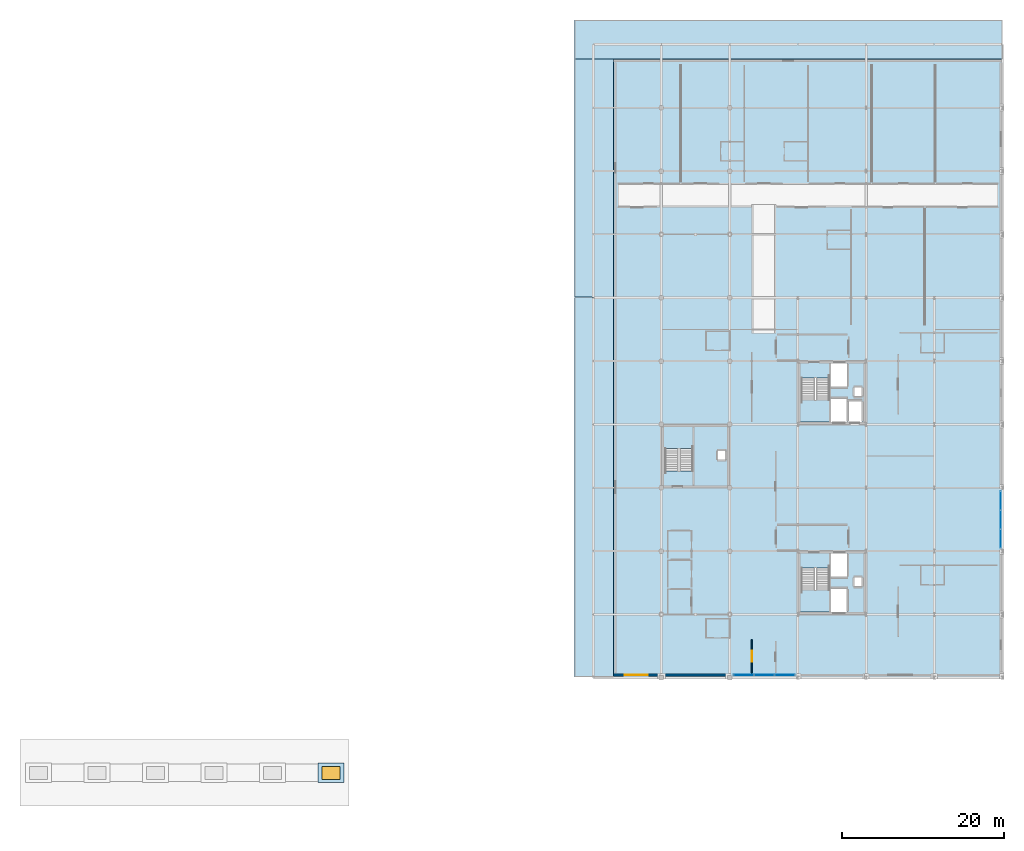
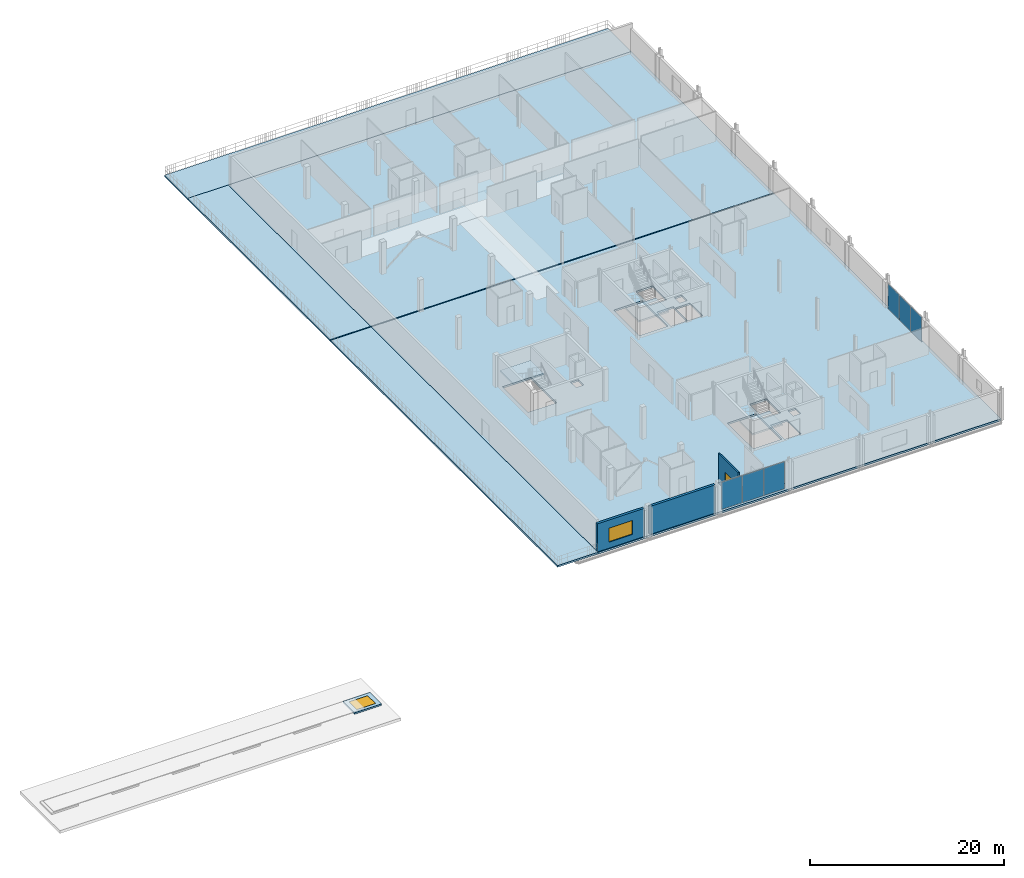
# One storey, part 9 of 20: 9 slabs, 6 plates, 3 walls, 2 windows, 1 door, 3 openings, 5 elements without a shape of their own.
"""IFC4 building model written with IfcOpenShell, lengths in metres."""

import ifcopenshell
import ifcopenshell.guid

model = None  # the IFC model being written
_history = None  # IfcOwnerHistory: only IFC2X3 demands one
_inside = {}  # id of a spatial element -> (the spatial element, [elements in it])
_under = {}  # id of a project, library or spatial element -> (it, [spatial elements below it])
_declared = {}  # id of a project -> (the project, [libraries it declares])
_typed = {}  # id of a type object -> (the type object, [elements of that type])
_made_of = {}  # id of a material, layer set ... -> (it, [elements and type objects made of it])


def new_model(schema):
    """Start an empty IFC model of exactly this schema.

    Asked for "IFC4X3", IfcOpenShell would pick the latest addendum, in which some entities
    have other attributes; the version numbers below select the first issue.
    IFC2X3 requires an IfcOwnerHistory on every rooted entity: one is made here for all.
    """
    global model, _history
    if schema == "IFC4X3":
        model = ifcopenshell.file(schema_version=(4, 3, 0, 0))
    else:
        model = ifcopenshell.file(schema=schema)
    _inside.clear()
    _under.clear()
    _declared.clear()
    _typed.clear()
    _made_of.clear()
    _history = None
    if model.schema == "IFC2X3":
        org = make("IfcOrganization", Name="unknown")
        user = make(
            "IfcPersonAndOrganization",
            ThePerson=make("IfcPerson", FamilyName="unknown"),
            TheOrganization=org,
        )
        app = make(
            "IfcApplication",
            ApplicationDeveloper=org,
            Version="unknown",
            ApplicationFullName="unknown",
            ApplicationIdentifier="unknown",
        )
        _history = make(
            "IfcOwnerHistory",
            OwningUser=user,
            OwningApplication=app,
            ChangeAction="ADDED",
            CreationDate=0,
        )
    return model


def make(cls, **values):
    """One entity of the class cls with the attributes given. An attribute that is None is left unset."""
    return model.create_entity(
        cls, **{name: value for name, value in values.items() if value is not None}
    )


def rooted(cls, **values):
    """An entity with a GlobalId (a new one), such as an element, a storey or a relation."""
    return make(cls, GlobalId=ifcopenshell.guid.new(), OwnerHistory=_history, **values)


def si_unit(unit_type, name, prefix=None):
    """IfcSIUnit, for example si_unit("LENGTHUNIT", "METRE", prefix="MILLI")."""
    return make("IfcSIUnit", UnitType=unit_type, Prefix=prefix, Name=name)


def assignment(units):
    """IfcUnitAssignment: the units of a project."""
    return None if units is None else make("IfcUnitAssignment", Units=units)


def point(xyz):
    """IfcCartesianPoint."""
    return None if xyz is None else make("IfcCartesianPoint", Coordinates=xyz)


def direction(xyz):
    """IfcDirection."""
    return None if xyz is None else make("IfcDirection", DirectionRatios=xyz)


def frame(location, z_axis=None, x_axis=None):
    """IfcAxis2Placement3D, a coordinate frame: its origin and axes. An axis left out is left unset."""
    return make(
        "IfcAxis2Placement3D",
        Location=point(location),
        Axis=direction(z_axis),
        RefDirection=direction(x_axis),
    )


def frame_2d(location, x_axis=None):
    """IfcAxis2Placement2D, a coordinate frame in the plane: its origin and x axis."""
    return make(
        "IfcAxis2Placement2D", Location=point(location), RefDirection=direction(x_axis)
    )


def origin():
    """The frame at (0, 0, 0) with its axes left unset."""
    return frame((0.0, 0.0, 0.0))


def origin_2d():
    """The frame at (0, 0) in the plane with its x axis left unset."""
    return frame_2d((0.0, 0.0))


def place(relative_to, where):
    """IfcLocalPlacement: puts the frame where relative to a parent placement (None: the world)."""
    return make(
        "IfcLocalPlacement", PlacementRelTo=relative_to, RelativePlacement=where
    )


def context(
    kind, dimensions, precision=None, world=None, true_north=None, identifier=None
):
    """IfcGeometricRepresentationContext, for example the 3D "Model" context."""
    return make(
        "IfcGeometricRepresentationContext",
        ContextIdentifier=identifier,
        ContextType=kind,
        CoordinateSpaceDimension=dimensions,
        Precision=precision,
        WorldCoordinateSystem=world,
        TrueNorth=true_north,
    )


def subcontext(parent, identifier, kind, view, scale=None):
    """IfcGeometricRepresentationSubContext, for example "Body" below "Model"."""
    return make(
        "IfcGeometricRepresentationSubContext",
        ContextIdentifier=identifier,
        ContextType=kind,
        ParentContext=parent,
        TargetScale=scale,
        TargetView=view,
    )


def project(units=None, contexts=None):
    """IfcProject with its units and contexts."""
    return rooted(
        "IfcProject",
        Name="project",
        RepresentationContexts=contexts,
        UnitsInContext=assignment(units),
    )


def spatial(cls, under=None, at=None, **own):
    """A site, building, storey or space (cls), placed at a placement, below another one or the project."""
    s = rooted(cls, ObjectPlacement=at, **own)
    if under is not None:
        _under.setdefault(under.id(), (under, []))[1].append(s)
    return s


def polyline(points):
    """IfcPolyline through the points."""
    return make("IfcPolyline", Points=[point(p) for p in points])


def profile(cls, at=None, kind="AREA", **sizes):
    """A parametric profile (cls). Its sizes go by their IFC names, for example OverallWidth=200.0."""
    return make(cls, ProfileType=kind, Position=at, **sizes)


def rectangle(**sizes):
    """IfcRectangleProfileDef."""
    return profile("IfcRectangleProfileDef", **sizes)


def outline(outer, holes=None, kind="AREA"):
    """IfcArbitraryClosedProfileDef: a profile drawn as a closed curve; with holes, ...WithVoids."""
    if holes is None:
        return make("IfcArbitraryClosedProfileDef", ProfileType=kind, OuterCurve=outer)
    return make(
        "IfcArbitraryProfileDefWithVoids",
        ProfileType=kind,
        OuterCurve=outer,
        InnerCurves=holes,
    )


def extrude(swept, where, along, depth):
    """IfcExtrudedAreaSolid: the profile swept, set in the frame where, extruded along a direction by depth."""
    return make(
        "IfcExtrudedAreaSolid",
        SweptArea=swept,
        Position=where,
        ExtrudedDirection=direction(along),
        Depth=depth,
    )


def shape(context_of_items, identifier, shape_type, items):
    """IfcShapeRepresentation: the items that make up one representation, for example the "Body"."""
    return make(
        "IfcShapeRepresentation",
        ContextOfItems=context_of_items,
        RepresentationIdentifier=identifier,
        RepresentationType=shape_type,
        Items=items,
    )


def material(Name=None, Category=None):
    """IfcMaterial."""
    return make("IfcMaterial", Name=Name, Category=Category)


def layer(
    of_material, thickness, ventilated=None, Name=None, Category=None, Priority=None
):
    """IfcMaterialLayer: one layer of a wall or slab, of a material (None: an air gap)."""
    return make(
        "IfcMaterialLayer",
        Material=of_material,
        LayerThickness=thickness,
        IsVentilated=ventilated,
        Name=Name,
        Category=Category,
        Priority=Priority,
    )


def layer_set(layers, Name=None):
    """IfcMaterialLayerSet."""
    return make("IfcMaterialLayerSet", MaterialLayers=layers, LayerSetName=Name)


def made_of(thing, what):
    """Note that an element or type object is made of a material, layer set ...; save() writes the relation."""
    if what is not None:
        _made_of.setdefault(what.id(), (what, []))[1].append(thing)
    return thing


def type_object(cls, material=None, **own):
    """A type object (cls), such as IfcWallType, which elements share."""
    return made_of(rooted(cls, **own), material)


def element(
    cls,
    number,
    at=None,
    inside=None,
    cuts=None,
    type_object=None,
    material=None,
    context=None,
    identifier="Body",
    shape_type=None,
    held_by="IfcProductDefinitionShape",
    body=None,
    shapes=None,
    **own,
):
    """One element of the class cls, such as IfcWall. Its Tag is "e" and its number.

    at: its placement. inside: the storey or other place that contains it. cuts: it is an
    opening in that element (IfcRelVoidsElement). A single representation is given by context,
    identifier, shape_type and body (its items); several are given by shapes. held_by: the class
    of the entity that holds the representations. save() writes the other relations.
    """
    e = rooted(cls, Tag="e%d" % number, ObjectPlacement=at, **own)
    if body is not None:
        shapes = [shape(context, identifier, shape_type, body)]
    if shapes is not None:
        e.Representation = make(held_by, Representations=shapes)
    if inside is not None:
        _inside.setdefault(inside.id(), (inside, []))[1].append(e)
    if cuts is not None:
        rooted(
            "IfcRelVoidsElement", RelatingBuildingElement=cuts, RelatedOpeningElement=e
        )
    if type_object is not None:
        _typed.setdefault(type_object.id(), (type_object, []))[1].append(e)
    return made_of(e, material)


def fill(opening, filler):
    """IfcRelFillsElement: the door or window that sits in an opening."""
    return rooted(
        "IfcRelFillsElement",
        RelatingOpeningElement=opening,
        RelatedBuildingElement=filler,
    )


def aggregate(whole, parts):
    """IfcRelAggregates: a whole, such as a stair, and the parts it consists of."""
    return rooted("IfcRelAggregates", RelatingObject=whole, RelatedObjects=parts)


def save(model, path):
    """Write the relations noted so far, then the file.

    IfcRelAggregates (storeys below a building ...), IfcRelContainedInSpatialStructure (elements
    in a storey), IfcRelDefinesByType, IfcRelAssociatesMaterial and IfcRelDeclares: one each for
    every whole, place, type object, material and project.
    """
    for whole, parts in _under.values():
        aggregate(whole, parts)
    for where, things in _inside.values():
        rooted(
            "IfcRelContainedInSpatialStructure",
            RelatedElements=things,
            RelatingStructure=where,
        )
    for kind, things in _typed.values():
        rooted("IfcRelDefinesByType", RelatedObjects=things, RelatingType=kind)
    for what, things in _made_of.values():
        rooted("IfcRelAssociatesMaterial", RelatedObjects=things, RelatingMaterial=what)
    for by, libraries in _declared.values():
        rooted("IfcRelDeclares", RelatingContext=by, RelatedDefinitions=libraries)
    model.write(path)


model = new_model("IFC4")

# Units and contexts
model_context = context("Model", 3, precision=1e-05, world=origin(), true_north=direction((0.0, 1.0)))
body_context = subcontext(model_context, "Body", "Model", "MODEL_VIEW")
ifc_project = project(units=[si_unit("LENGTHUNIT", "METRE"), si_unit("AREAUNIT", "SQUARE_METRE"), si_unit("VOLUMEUNIT", "CUBIC_METRE"), si_unit("PLANEANGLEUNIT", "RADIAN"), si_unit("MASSUNIT", "GRAM", prefix="KILO")], contexts=[model_context])

# Site, building, storey
site_placement = place(None, origin())
site = spatial("IfcSite", under=ifc_project, at=site_placement, CompositionType="ELEMENT")
building_placement = place(site_placement, origin())
building = spatial("IfcBuilding", under=site, at=building_placement, Name="Nabrawat Pavilion Hospital", CompositionType="ELEMENT")
storey_placement = place(building_placement, frame((0.0, 0.0, 27.0)))
storey = spatial("IfcBuildingStorey", under=building, at=storey_placement, Name="L06", CompositionType="ELEMENT", Elevation=27.0)

# Slabs
ifc_material_1 = material(Name="Concrete C35/45", Category="concrete")
ifc_layer_1 = layer(ifc_material_1, 0.22998046875, Name="Concrete C35/45")
ifc_layer_set_1 = layer_set([ifc_layer_1], Name="Concrete C35/45")
slab_type_1 = type_object("IfcSlabType", Name="Composite Upper Ward Floor Slab 230", PredefinedType="FLOOR", material=ifc_layer_set_1)
slab_1_placement = place(storey_placement, frame((0.0, 0.0, -0.22998046875)))
element("IfcSlab", 1, at=slab_1_placement, inside=storey, type_object=slab_type_1, Name="L06 Structural Floor Slab P_L06_V6_S", PredefinedType="FLOOR", context=body_context, shape_type="SweptSolid", body=[
    extrude(outline(polyline([(145.320068359375, 39.1201171875), (193.199951171875, 39.1201171875), (193.199951171875, 85.800048828125), (145.320068359375, 85.800048828125), (145.320068359375, 39.1201171875)]), holes=[polyline([(175.8798828125, 73.10009765625), (175.8798828125, 70.5), (174.1201171875, 70.5), (174.1201171875, 73.10009765625), (175.8798828125, 73.10009765625)]), polyline([(174.949951171875, 50.25), (174.949951171875, 51.35009765625), (175.85009765625, 51.35009765625), (175.85009765625, 50.25), (174.949951171875, 50.25)]), polyline([(174.949951171875, 73.64990234375), (174.949951171875, 74.75), (175.85009765625, 74.75), (175.85009765625, 73.64990234375), (174.949951171875, 73.64990234375)]), polyline([(172.10009765625, 51.39990234375), (172.10009765625, 54.300048828125), (174.10009765625, 54.300048828125), (174.10009765625, 51.39990234375), (172.10009765625, 51.39990234375)]), polyline([(172.10009765625, 74.800048828125), (172.10009765625, 77.699951171875), (174.10009765625, 77.699951171875), (174.10009765625, 74.800048828125), (172.10009765625, 74.800048828125)]), polyline([(174.06005859375, 50.0), (174.06005859375, 47.10009765625), (172.10009765625, 47.10009765625), (172.10009765625, 50.0), (174.06005859375, 50.0)]), polyline([(172.10009765625, 70.5), (172.10009765625, 73.39990234375), (174.06005859375, 73.39990234375), (174.06005859375, 70.5), (172.10009765625, 70.5)]), polyline([(171.85009765625, 47.25), (168.449951171875, 47.25), (168.449951171875, 52.530029296875), (171.85009765625, 52.530029296875), (171.85009765625, 47.25)]), polyline([(171.85009765625, 70.64990234375), (168.449951171875, 70.64990234375), (168.449951171875, 75.929931640625), (171.85009765625, 75.929931640625), (171.85009765625, 70.64990234375)]), polyline([(159.050048828125, 66.949951171875), (159.050048828125, 65.85009765625), (158.14990234375, 65.85009765625), (158.14990234375, 66.949951171875), (159.050048828125, 66.949951171875)]), polyline([(155.050048828125, 64.469970703125), (151.64990234375, 64.469970703125), (151.64990234375, 69.75), (155.050048828125, 69.75), (155.050048828125, 64.469970703125)])]), origin(), (0.0, 0.0, 1.0), 0.22998046875),
])
slab_2_placement = place(storey_placement, frame((0.0, 0.0, -0.22998046875)))
element("IfcSlab", 2, at=slab_2_placement, inside=storey, type_object=slab_type_1, Name="L06 Structural Floor Slab P_L06_V6_N", PredefinedType="FLOOR", context=body_context, shape_type="SweptSolid", body=[
    extrude(outline(polyline([(193.199951171875, 85.919921875), (193.199951171875, 115.199951171875), (145.320068359375, 115.199951171875), (145.320068359375, 85.919921875), (193.199951171875, 85.919921875)])), origin(), (0.0, 0.0, 1.0), 0.22998046875),
])
ifc_layer_2 = layer(ifc_material_1, 0.2099609375, Name="Concrete C35/45")
ifc_layer_set_2 = layer_set([ifc_layer_2], Name="Concrete C35/45")
slab_type_2 = type_object("IfcSlabType", Name="Exterior Recovery Terrace Slab 210", PredefinedType="FLOOR", material=ifc_layer_set_2)
slab_3_placement = place(storey_placement, frame((0.0, 0.0, -0.2099609375)))
element("IfcSlab", 3, at=slab_3_placement, inside=storey, type_object=slab_type_2, Name="L06 Walkable Clinical Terrace Slab T_L06_WARD_WEST_S", PredefinedType="FLOOR", context=body_context, shape_type="SweptSolid", body=[
    extrude(outline(polyline([(145.320068359375, 39.1201171875), (145.320068359375, 85.800048828125), (140.52001953125, 85.800048828125), (140.52001953125, 39.1201171875), (145.320068359375, 39.1201171875)])), origin(), (0.0, 0.0, 1.0), 0.2099609375),
])
slab_4_placement = place(storey_placement, frame((0.0, 0.0, -0.2099609375)))
element("IfcSlab", 4, at=slab_4_placement, inside=storey, type_object=slab_type_2, Name="L06 Walkable Clinical Terrace Slab T_L06_WARD_WEST_N", PredefinedType="FLOOR", context=body_context, shape_type="SweptSolid", body=[
    extrude(outline(polyline([(145.320068359375, 85.919921875), (145.320068359375, 115.199951171875), (140.52001953125, 115.199951171875), (140.52001953125, 85.919921875), (145.320068359375, 85.919921875)])), origin(), (0.0, 0.0, 1.0), 0.2099609375),
])
slab_5_placement = place(storey_placement, frame((0.0, 0.0, -0.2099609375)))
element("IfcSlab", 5, at=slab_5_placement, inside=storey, type_object=slab_type_2, Name="L06 Walkable Clinical Terrace Slab T_L06_WARD_NORTH", PredefinedType="FLOOR", context=body_context, shape_type="SweptSolid", body=[
    extrude(outline(polyline([(193.199951171875, 115.199951171875), (193.199951171875, 120.0), (140.52001953125, 120.0), (140.52001953125, 115.199951171875), (193.199951171875, 115.199951171875)])), origin(), (0.0, 0.0, 1.0), 0.2099609375),
])

# Curtain wall, plates
ifc_material_2 = material(Name="Anodised Aluminium", Category="aluminium")
curtain_wall_type = type_object("IfcCurtainWallType", Name="Inpatient Dayroom Bay Curtain Wall", PredefinedType="USERDEFINED", material=ifc_material_2)
curtain_wall_1_placement = place(storey_placement, origin())
curtain_wall_1 = element("IfcCurtainWall", 6, at=curtain_wall_1_placement, inside=storey, type_object=curtain_wall_type, Name="L06 Inpatient Dayroom Bay Curtain Wall 153", ObjectType="CURTAIN WALL", PredefinedType="USERDEFINED")
ifc_material_3 = material(Name="Double-Glazed Low-E Glass", Category="glass")
ifc_layer_3 = layer(ifc_material_3, 0.02587890625, Name="Double-Glazed Low-E Glass")
ifc_layer_set_3 = layer_set([ifc_layer_3], Name="Double-Glazed Low-E Glass")
plate_type = type_object("IfcPlateType", Name="Inpatient Dayroom Bay Curtain Wall Low-E Solar Panel 26", PredefinedType="CURTAIN_PANEL", material=ifc_layer_set_3)
plate_1_placement = place(storey_placement, frame((161.33251953125, 39.340087890625, 0.06005859375), z_axis=(0.0, 0.0, 1.0), x_axis=(1.0, 0.0, 0.0)))
plate_1 = element("IfcPlate", 7, at=plate_1_placement, type_object=plate_type, Name="CW-WRD-01 panel 1.1", PredefinedType="CURTAIN_PANEL", context=body_context, shape_type="SweptSolid", body=[
    extrude(rectangle(XDim=2.455078125, YDim=0.02587890625, at=origin_2d()), origin(), (0.0, 0.0, 1.0), 3.409912109375),
])
plate_2_placement = place(storey_placement, frame((163.862548828125, 39.340087890625, 0.06005859375), z_axis=(0.0, 0.0, 1.0), x_axis=(1.0, 0.0, 0.0)))
plate_2 = element("IfcPlate", 8, at=plate_2_placement, type_object=plate_type, Name="CW-WRD-01 panel 2.1", PredefinedType="CURTAIN_PANEL", context=body_context, shape_type="SweptSolid", body=[
    extrude(rectangle(XDim=2.485107421875, YDim=0.02587890625, at=origin_2d()), origin(), (0.0, 0.0, 1.0), 3.409912109375),
])
plate_3_placement = place(storey_placement, frame((166.392578125, 39.340087890625, 0.06005859375), z_axis=(0.0, 0.0, 1.0), x_axis=(1.0, 0.0, 0.0)))
plate_3 = element("IfcPlate", 9, at=plate_3_placement, type_object=plate_type, Name="CW-WRD-01 panel 3.1", PredefinedType="CURTAIN_PANEL", context=body_context, shape_type="SweptSolid", body=[
    extrude(rectangle(XDim=2.455078125, YDim=0.02587890625, at=origin_2d()), origin(), (0.0, 0.0, 1.0), 3.409912109375),
])
aggregate(curtain_wall_1, [plate_1, plate_2, plate_3])

curtain_wall_2_placement = place(storey_placement, origin())
curtain_wall_2 = element("IfcCurtainWall", 10, at=curtain_wall_2_placement, inside=storey, type_object=curtain_wall_type, Name="L06 Inpatient Dayroom Bay Curtain Wall 154", ObjectType="CURTAIN WALL", PredefinedType="USERDEFINED")
plate_4_placement = place(storey_placement, frame((192.97998046875, 56.16162109375, 0.06005859375), z_axis=(0.0, 0.0, 1.0), x_axis=(0.0, 1.0, 0.0)))
plate_4 = element("IfcPlate", 11, at=plate_4_placement, type_object=plate_type, Name="CW-WRD-01 panel 1.1", PredefinedType="CURTAIN_PANEL", context=body_context, shape_type="SweptSolid", body=[
    extrude(rectangle(XDim=2.263427734375, YDim=0.02587890625, at=origin_2d()), origin(), (0.0, 0.0, 1.0), 3.139892578125),
])
plate_5_placement = place(storey_placement, frame((192.97998046875, 58.5, 0.06005859375), z_axis=(0.0, 0.0, 1.0), x_axis=(0.0, 1.0, 0.0)))
plate_5 = element("IfcPlate", 12, at=plate_5_placement, type_object=plate_type, Name="CW-WRD-01 panel 2.1", PredefinedType="CURTAIN_PANEL", context=body_context, shape_type="SweptSolid", body=[
    extrude(rectangle(XDim=2.293212890625, YDim=0.02587890625, at=origin_2d()), origin(), (0.0, 0.0, 1.0), 3.139892578125),
])
plate_6_placement = place(storey_placement, frame((192.97998046875, 60.83837890625, 0.06005859375), z_axis=(0.0, 0.0, 1.0), x_axis=(0.0, 1.0, 0.0)))
plate_6 = element("IfcPlate", 13, at=plate_6_placement, type_object=plate_type, Name="CW-WRD-01 panel 3.1", PredefinedType="CURTAIN_PANEL", context=body_context, shape_type="SweptSolid", body=[
    extrude(rectangle(XDim=2.263427734375, YDim=0.02587890625, at=origin_2d()), origin(), (0.0, 0.0, 1.0), 3.139892578125),
])
aggregate(curtain_wall_2, [plate_4, plate_5, plate_6])

# Stair, slab
stair_type = type_object("IfcStairType", Name="Ward Upper Dogleg Escape Stair Assembly", PredefinedType="HALF_TURN_STAIR", material=ifc_material_1)
stair_1_placement = place(storey_placement, origin())
stair_1 = element("IfcStair", 14, at=stair_1_placement, inside=storey, type_object=stair_type, Name="L06 Inpatient South Firefighting Core 5", PredefinedType="HALF_TURN_STAIR")
ifc_layer_4 = layer(ifc_material_1, 0.199951171875, Name="Concrete C35/45")
ifc_layer_set_4 = layer_set([ifc_layer_4], Name="Concrete C35/45")
slab_type_3 = type_object("IfcSlabType", Name="Reinforced Concrete Stair Half-Landing 200", PredefinedType="LANDING", material=ifc_layer_set_4)
slab_6_placement = place(storey_placement, frame((0.0, 0.0, 1.824951171875)))
slab_6 = element("IfcSlab", 15, at=slab_6_placement, type_object=slab_type_3, Name="ST-05 landing 1", PredefinedType="LANDING", context=body_context, shape_type="SweptSolid", body=[
    extrude(outline(polyline([(171.8701171875, 47.080078125), (171.8701171875, 49.780029296875), (168.280029296875, 49.780029296875), (168.280029296875, 47.080078125), (171.8701171875, 47.080078125)])), origin(), (0.0, 0.0, 1.0), 0.199951171875),
])
aggregate(stair_1, [slab_6])

stair_2_placement = place(storey_placement, origin())
stair_2 = element("IfcStair", 16, at=stair_2_placement, inside=storey, type_object=stair_type, Name="L06 Inpatient North Firefighting Core 6", PredefinedType="HALF_TURN_STAIR")
slab_7_placement = place(storey_placement, frame((0.0, 0.0, 1.824951171875)))
slab_7 = element("IfcSlab", 17, at=slab_7_placement, type_object=slab_type_3, Name="ST-06 landing 1", PredefinedType="LANDING", context=body_context, shape_type="SweptSolid", body=[
    extrude(outline(polyline([(171.8701171875, 70.47998046875), (171.8701171875, 73.179931640625), (168.280029296875, 73.179931640625), (168.280029296875, 70.47998046875), (171.8701171875, 70.47998046875)])), origin(), (0.0, 0.0, 1.0), 0.199951171875),
])
aggregate(stair_2, [slab_7])

stair_3_placement = place(storey_placement, origin())
stair_3 = element("IfcStair", 18, at=stair_3_placement, inside=storey, type_object=stair_type, Name="L06 Inpatient West Escape Stair Core 9", PredefinedType="HALF_TURN_STAIR")
slab_8_placement = place(storey_placement, frame((0.0, 0.0, 1.824951171875)))
slab_8 = element("IfcSlab", 19, at=slab_8_placement, type_object=slab_type_3, Name="ST-09 landing 1", PredefinedType="LANDING", context=body_context, shape_type="SweptSolid", body=[
    extrude(outline(polyline([(155.070068359375, 67.219970703125), (155.070068359375, 69.919921875), (151.47998046875, 69.919921875), (151.47998046875, 67.219970703125), (155.070068359375, 67.219970703125)])), origin(), (0.0, 0.0, 1.0), 0.199951171875),
])
aggregate(stair_3, [slab_8])

# Slab, opening, window
ifc_layer_5 = layer(ifc_material_1, 0.18994140625, Name="Concrete C35/45")
ifc_layer_set_5 = layer_set([ifc_layer_5], Name="Concrete C35/45")
slab_type_4 = type_object("IfcSlabType", Name="Rooflight Monitor Flat Roof Slab 190", PredefinedType="ROOF", material=ifc_layer_set_5)
slab_9_placement = place(storey_placement, frame((0.0, 0.0, 0.300048828125)))
slab_9 = element("IfcSlab", 20, at=slab_9_placement, inside=storey, type_object=slab_type_4, Name="Main Hall Ridge Skylight Curb Slab 06", PredefinedType="ROOF", context=body_context, shape_type="SweptSolid", body=[
    extrude(outline(polyline([(108.89990234375, 26.10009765625), (112.10009765625, 26.10009765625), (112.10009765625, 28.5), (108.89990234375, 28.5), (108.89990234375, 26.10009765625)]), holes=[polyline([(109.39990234375, 26.5), (109.39990234375, 28.10009765625), (111.60009765625, 28.10009765625), (111.60009765625, 26.5), (109.39990234375, 26.5)])]), origin(), (0.0, 0.0, 1.0), 0.18994140625),
])
opening_1_placement = place(slab_9_placement, frame((110.5, 27.300048828125, -0.010009765625)))
opening_1 = element("IfcOpeningElement", 21, at=opening_1_placement, cuts=slab_9, Name="Opening SKY-01", PredefinedType="OPENING", context=body_context, shape_type="SweptSolid", body=[
    extrude(rectangle(XDim=2.199951171875, YDim=1.60009765625, at=origin_2d()), origin(), (0.0, 0.0, 1.0), 0.2099609375),
])
ifc_material_4 = material(Name="Thermally Broken Aluminium and Solar Glass", Category="aluminium")
window_type_1 = type_object("IfcWindowType", Name="Main Hall Ridge Rooflight Unit 2200x1600", PartitioningType="SINGLE_PANEL", PredefinedType="SKYLIGHT", material=ifc_material_4)
window_1_placement = place(opening_1_placement, frame((0.0, 0.0, 0.14990234375)))
window_1 = element("IfcWindow", 22, at=window_1_placement, inside=storey, type_object=window_type_1, Name="L06 Roof Daylight Skylight 06", OverallHeight=1.60009765625, OverallWidth=2.199951171875, PartitioningType="SINGLE_PANEL", PredefinedType="SKYLIGHT", context=body_context, shape_type="SweptSolid", body=[
    extrude(rectangle(XDim=2.199951171875, YDim=1.60009765625, at=origin_2d()), origin(), (0.0, 0.0, 1.0), 0.050048828125),
])
fill(opening_1, window_1)

# Wall, opening, door
ifc_material_5 = material(Name="Gypsum Fireboard on Steel Stud", Category="steel")
ifc_layer_6 = layer(ifc_material_5, 0.14990234375, Name="Gypsum Fireboard on Steel Stud")
ifc_layer_set_6 = layer_set([ifc_layer_6], Name="Gypsum Fireboard on Steel Stud")
wall_type_1 = type_object("IfcWallType", Name="Clinical Corridor Smoke-Barrier Wall 150", PredefinedType="PARTITIONING", material=ifc_layer_set_6)
wall_1_placement = place(storey_placement, frame((162.3349609375, 39.6201171875, 0.0), z_axis=(0.0, 0.0, 1.0), x_axis=(0.0, 1.0, 0.0)))
wall_1 = element("IfcWall", 23, at=wall_1_placement, inside=storey, type_object=wall_type_1, Name="L06 Inpatient Ward Neuro-Rehab Bedroom L06-01 Front Partition", PredefinedType="PARTITIONING", context=body_context, shape_type="SweptSolid", body=[
    extrude(rectangle(XDim=4.0498046875, YDim=0.14990234375, at=frame_2d((2.02490234375, 0.0))), origin(), (0.0, 0.0, 1.0), 3.77001953125),
])
opening_2_placement = place(wall_1_placement, frame((1.324951171875, 0.0, 0.0)))
opening_2 = element("IfcOpeningElement", 24, at=opening_2_placement, cuts=wall_1, Name="Opening D-BED", PredefinedType="OPENING", context=body_context, shape_type="SweptSolid", body=[
    extrude(rectangle(XDim=1.39990234375, YDim=2.199951171875, at=frame_2d((0.699951171875, 1.10009765625))), frame((0.0, 0.0849609375, 0.0), z_axis=(0.0, -1.0, 0.0), x_axis=(1.0, 0.0, 0.0)), (0.0, 0.0, 1.0), 0.169921875),
])
ifc_material_6 = material(Name="Stainless-Clad Acoustic Timber and Vision Glass", Category="wood")
door_type = type_object("IfcDoorType", Name="D-BED Inpatient Ward Leaf-and-a-Half Door 1400x2200", OperationType="NOTDEFINED", PredefinedType="DOOR", material=ifc_material_6)
door_placement = place(opening_2_placement, origin())
door = element("IfcDoor", 25, at=door_placement, inside=storey, type_object=door_type, Name="Inpatient Ward Neuro-Rehab Bedroom L06-01 Door", OperationType="SINGLE_SWING_LEFT", OverallHeight=2.199951171875, OverallWidth=1.39990234375, PredefinedType="DOOR", context=body_context, shape_type="SweptSolid", body=[
    extrude(rectangle(XDim=1.39990234375, YDim=2.199951171875, at=frame_2d((0.699951171875, 1.10009765625))), frame((0.0, 0.02490234375, 0.0), z_axis=(0.0, -1.0, 0.0), x_axis=(1.0, 0.0, 0.0)), (0.0, 0.0, 1.0), 0.050048828125),
])
fill(opening_2, door)

# Wall, opening, window
ifc_material_7 = material(Name="Precast concrete C40/50", Category="concrete")
ifc_layer_7 = layer(ifc_material_7, 0.280029296875, Name="Precast concrete C40/50")
ifc_layer_set_7 = layer_set([ifc_layer_7], Name="Precast concrete C40/50")
wall_type_2 = type_object("IfcWallType", Name="Insulated Precast Facade Wall 280", PredefinedType="SOLIDWALL", material=ifc_layer_set_7)
wall_2_placement = place(storey_placement, frame((145.320068359375, 39.340087890625, 0.0), z_axis=(0.0, 0.0, 1.0), x_axis=(1.0, 0.0, 0.0)))
wall_2 = element("IfcWall", 26, at=wall_2_placement, inside=storey, type_object=wall_type_2, Name="L06 Insulated Precast Facade Wall 280 401", PredefinedType="SOLIDWALL", context=body_context, shape_type="SweptSolid", body=[
    extrude(rectangle(XDim=5.554931640625, YDim=0.280029296875, at=frame_2d((2.77734375, 0.0))), origin(), (0.0, 0.0, 1.0), 3.530029296875),
])
opening_3_placement = place(wall_2_placement, frame((1.37744140625, 0.0, 0.75)))
opening_3 = element("IfcOpeningElement", 27, at=opening_3_placement, cuts=wall_2, Name="Opening WN-15", PredefinedType="OPENING", context=body_context, shape_type="SweptSolid", body=[
    extrude(rectangle(XDim=2.800048828125, YDim=1.75, at=frame_2d((1.39990234375, 0.875))), frame((0.0, 0.14990234375, 0.0), z_axis=(0.0, -1.0, 0.0), x_axis=(1.0, 0.0, 0.0)), (0.0, 0.0, 1.0), 0.300048828125),
])
window_type_2 = type_object("IfcWindowType", Name="Neurology Rehab Lounge Window 2800x1750", PartitioningType="SINGLE_PANEL", PredefinedType="WINDOW", material=ifc_material_4)
window_2_placement = place(opening_3_placement, origin())
window_2 = element("IfcWindow", 28, at=window_2_placement, inside=storey, type_object=window_type_2, Name="L06 Neurology Rehab Lounge Window 2800x1750 143", OverallHeight=1.75, OverallWidth=2.800048828125, PartitioningType="SINGLE_PANEL", PredefinedType="WINDOW", context=body_context, shape_type="SweptSolid", body=[
    extrude(rectangle(XDim=2.800048828125, YDim=1.75, at=frame_2d((1.39990234375, 0.875))), frame((0.0, 0.030029296875, 0.0), z_axis=(0.0, -1.0, 0.0), x_axis=(1.0, 0.0, 0.0)), (0.0, 0.0, 1.0), 0.06005859375),
])
fill(opening_3, window_2)

# Wall
wall_3_placement = place(storey_placement, frame((151.52490234375, 39.340087890625, 0.0), z_axis=(0.0, 0.0, 1.0), x_axis=(1.0, 0.0, 0.0)))
element("IfcWall", 29, at=wall_3_placement, inside=storey, type_object=wall_type_2, Name="L06 Insulated Precast Facade Wall 280 402", PredefinedType="SOLIDWALL", context=body_context, shape_type="SweptSolid", body=[
    extrude(rectangle(XDim=7.75, YDim=0.280029296875, at=frame_2d((3.875, 0.0))), origin(), (0.0, 0.0, 1.0), 3.530029296875),
])

save(model, "model.ifc")
